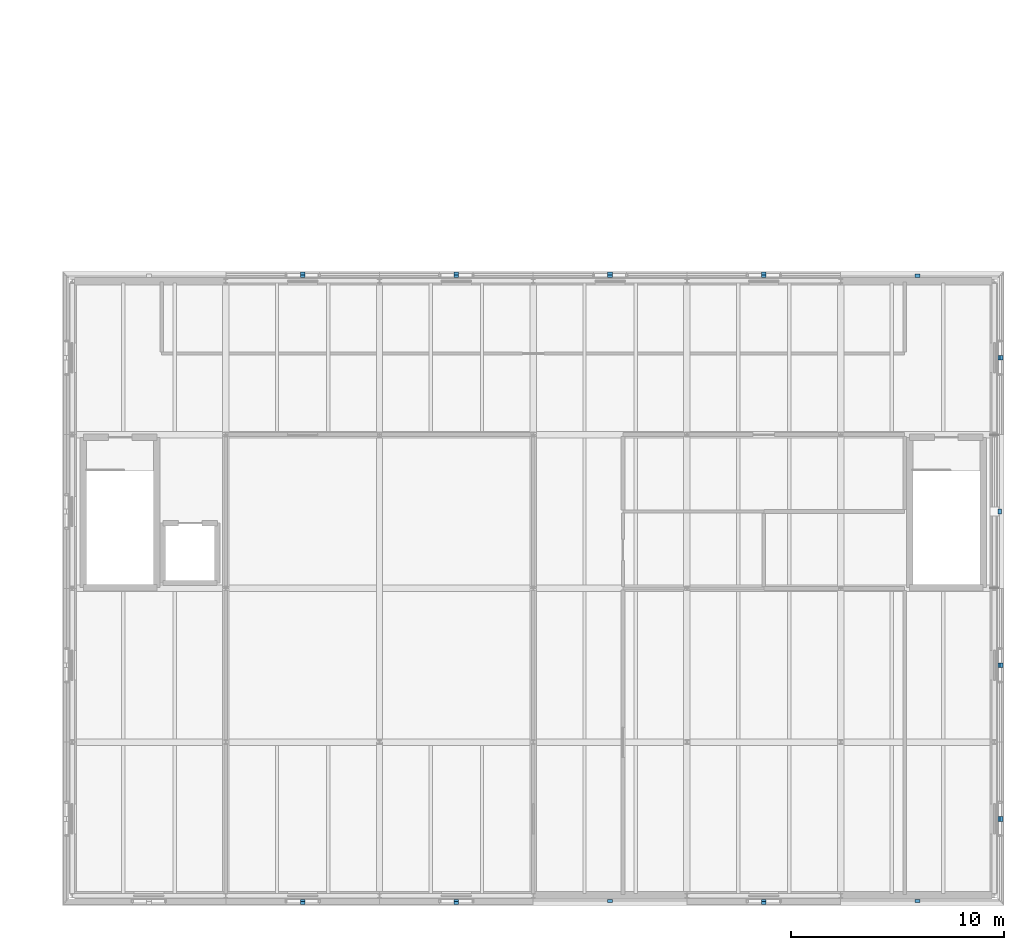
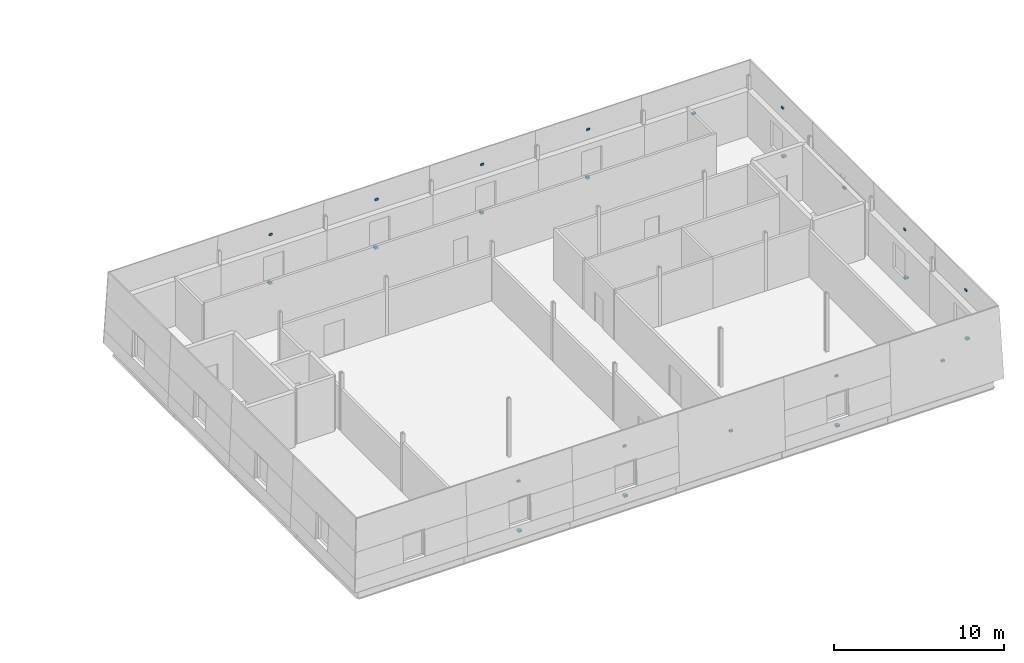
# One storey, part 74 of 91: 24 discrete accessories.
"""IFC4 building model written with IfcOpenShell, lengths in metres."""

from ifc_helpers import new_model, si_unit, direction, frame, origin, origin_2d, place, context, subcontext, project, spatial, rectangle, extrude, material, layer, layer_set, type_object, element, save


model = new_model("IFC4")

# Units and contexts
model_context = context("Model", 3, precision=1e-05, world=origin(), true_north=direction((0.0, 1.0)))
body_context = subcontext(model_context, "Body", "Model", "MODEL_VIEW")
ifc_project = project(units=[si_unit("LENGTHUNIT", "METRE"), si_unit("AREAUNIT", "SQUARE_METRE"), si_unit("VOLUMEUNIT", "CUBIC_METRE"), si_unit("PLANEANGLEUNIT", "RADIAN"), si_unit("MASSUNIT", "GRAM", prefix="KILO")], contexts=[model_context])

# Site, building, storey
site_placement = place(None, origin())
site = spatial("IfcSite", under=ifc_project, at=site_placement, CompositionType="ELEMENT")
building_placement = place(site_placement, origin())
building = spatial("IfcBuilding", under=site, at=building_placement, Name="Narikvali Park Central Library", CompositionType="ELEMENT")
storey_placement = place(building_placement, frame((0.0, 0.0, 14.39990234375)))
storey = spatial("IfcBuildingStorey", under=building, at=storey_placement, Name="L03", CompositionType="ELEMENT", Elevation=14.39990234375)

# Discrete accessories
ifc_material = material(Name="Brushed Stainless Steel S355", Category="steel")
ifc_layer = layer(ifc_material, 0.139892578125, Name="Brushed Stainless Steel S355")
ifc_layer_set = layer_set([ifc_layer], Name="Brushed Stainless Steel S355")
discrete_accessory_type = type_object("IfcDiscreteAccessoryType", Name="Cladding Stainless Tie-Back Corbel Bracket", PredefinedType="BRACKET", material=ifc_layer_set)
discrete_accessory_1_placement = place(storey_placement, frame((133.199951171875, -0.290771484375, 0.4052734375), z_axis=(0.0, 0.0, 1.0), x_axis=(1.0, 0.0, 0.0)))
element("IfcDiscreteAccessory", 1, at=discrete_accessory_1_placement, inside=storey, type_object=discrete_accessory_type, Name="Limestone Cladding Tie-Back Bracket V6-CLD-L03-S-B02-SP", PredefinedType="BRACKET", context=body_context, shape_type="SweptSolid", body=[
    extrude(rectangle(XDim=0.219970703125, YDim=0.2412109375, at=origin_2d()), origin(), (0.0, 0.0, 1.0), 0.139892578125),
])
discrete_accessory_2_placement = place(storey_placement, frame((133.199951171875, -0.218994140625, 3.9052734375), z_axis=(0.0, 0.0, 1.0), x_axis=(1.0, 0.0, 0.0)))
element("IfcDiscreteAccessory", 2, at=discrete_accessory_2_placement, inside=storey, type_object=discrete_accessory_type, Name="Limestone Cladding Tie-Back Bracket V6-CLD-L03-S-B02-LN", PredefinedType="BRACKET", context=body_context, shape_type="SweptSolid", body=[
    extrude(rectangle(XDim=0.219970703125, YDim=0.09814453125, at=origin_2d()), origin(), (0.0, 0.0, 1.0), 0.139892578125),
])
discrete_accessory_3_placement = place(storey_placement, frame((140.39990234375, -0.290771484375, 0.4052734375), z_axis=(0.0, 0.0, 1.0), x_axis=(1.0, 0.0, 0.0)))
element("IfcDiscreteAccessory", 3, at=discrete_accessory_3_placement, inside=storey, type_object=discrete_accessory_type, Name="Limestone Cladding Tie-Back Bracket V6-CLD-L03-S-B03-SP", PredefinedType="BRACKET", context=body_context, shape_type="SweptSolid", body=[
    extrude(rectangle(XDim=0.219970703125, YDim=0.2412109375, at=origin_2d()), origin(), (0.0, 0.0, 1.0), 0.139892578125),
])
discrete_accessory_4_placement = place(storey_placement, frame((140.39990234375, -0.218994140625, 3.9052734375), z_axis=(0.0, 0.0, 1.0), x_axis=(1.0, 0.0, 0.0)))
element("IfcDiscreteAccessory", 4, at=discrete_accessory_4_placement, inside=storey, type_object=discrete_accessory_type, Name="Limestone Cladding Tie-Back Bracket V6-CLD-L03-S-B03-LN", PredefinedType="BRACKET", context=body_context, shape_type="SweptSolid", body=[
    extrude(rectangle(XDim=0.219970703125, YDim=0.09814453125, at=origin_2d()), origin(), (0.0, 0.0, 1.0), 0.139892578125),
])
discrete_accessory_5_placement = place(storey_placement, frame((147.60009765625, -0.247802734375, 2.50537109375), z_axis=(0.0, 0.0, 1.0), x_axis=(1.0, 0.0, 0.0)))
element("IfcDiscreteAccessory", 5, at=discrete_accessory_5_placement, inside=storey, type_object=discrete_accessory_type, Name="Limestone Cladding Tie-Back Bracket V6-CLD-L03-S-B04-FULL", PredefinedType="BRACKET", context=body_context, shape_type="SweptSolid", body=[
    extrude(rectangle(XDim=0.219970703125, YDim=0.1552734375, at=origin_2d()), origin(), (0.0, 0.0, 1.0), 0.139892578125),
])
discrete_accessory_6_placement = place(storey_placement, frame((154.800048828125, -0.290771484375, 0.4052734375), z_axis=(0.0, 0.0, 1.0), x_axis=(1.0, 0.0, 0.0)))
element("IfcDiscreteAccessory", 6, at=discrete_accessory_6_placement, inside=storey, type_object=discrete_accessory_type, Name="Limestone Cladding Tie-Back Bracket V6-CLD-L03-S-B05-SP", PredefinedType="BRACKET", context=body_context, shape_type="SweptSolid", body=[
    extrude(rectangle(XDim=0.219970703125, YDim=0.2412109375, at=origin_2d()), origin(), (0.0, 0.0, 1.0), 0.139892578125),
])
discrete_accessory_7_placement = place(storey_placement, frame((154.800048828125, -0.218994140625, 3.9052734375), z_axis=(0.0, 0.0, 1.0), x_axis=(1.0, 0.0, 0.0)))
element("IfcDiscreteAccessory", 7, at=discrete_accessory_7_placement, inside=storey, type_object=discrete_accessory_type, Name="Limestone Cladding Tie-Back Bracket V6-CLD-L03-S-B05-LN", PredefinedType="BRACKET", context=body_context, shape_type="SweptSolid", body=[
    extrude(rectangle(XDim=0.219970703125, YDim=0.09814453125, at=origin_2d()), origin(), (0.0, 0.0, 1.0), 0.139892578125),
])
discrete_accessory_8_placement = place(storey_placement, frame((162.0, -0.247802734375, 2.50537109375), z_axis=(0.0, 0.0, 1.0), x_axis=(1.0, 0.0, 0.0)))
element("IfcDiscreteAccessory", 8, at=discrete_accessory_8_placement, inside=storey, type_object=discrete_accessory_type, Name="Limestone Cladding Tie-Back Bracket V6-CLD-L03-S-B06-FULL", PredefinedType="BRACKET", context=body_context, shape_type="SweptSolid", body=[
    extrude(rectangle(XDim=0.219970703125, YDim=0.1552734375, at=origin_2d()), origin(), (0.0, 0.0, 1.0), 0.139892578125),
])
discrete_accessory_9_placement = place(storey_placement, frame((165.890625, 3.60009765625, 0.4052734375), z_axis=(0.0, 0.0, 1.0), x_axis=(1.0, 0.0, 0.0)))
element("IfcDiscreteAccessory", 9, at=discrete_accessory_9_placement, inside=storey, type_object=discrete_accessory_type, Name="Limestone Cladding Tie-Back Bracket V6-CLD-L03-E-B01-SP", PredefinedType="BRACKET", context=body_context, shape_type="SweptSolid", body=[
    extrude(rectangle(XDim=0.2412109375, YDim=0.219970703125, at=origin_2d()), origin(), (0.0, 0.0, 1.0), 0.139892578125),
])
discrete_accessory_10_placement = place(storey_placement, frame((165.819091796875, 3.60009765625, 3.9052734375), z_axis=(0.0, 0.0, 1.0), x_axis=(1.0, 0.0, 0.0)))
element("IfcDiscreteAccessory", 10, at=discrete_accessory_10_placement, inside=storey, type_object=discrete_accessory_type, Name="Limestone Cladding Tie-Back Bracket V6-CLD-L03-E-B01-LN", PredefinedType="BRACKET", context=body_context, shape_type="SweptSolid", body=[
    extrude(rectangle(XDim=0.09814453125, YDim=0.219970703125, at=origin_2d()), origin(), (0.0, 0.0, 1.0), 0.139892578125),
])
discrete_accessory_11_placement = place(storey_placement, frame((165.890625, 10.800048828125, 0.4052734375), z_axis=(0.0, 0.0, 1.0), x_axis=(1.0, 0.0, 0.0)))
element("IfcDiscreteAccessory", 11, at=discrete_accessory_11_placement, inside=storey, type_object=discrete_accessory_type, Name="Limestone Cladding Tie-Back Bracket V6-CLD-L03-E-B02-SP", PredefinedType="BRACKET", context=body_context, shape_type="SweptSolid", body=[
    extrude(rectangle(XDim=0.2412109375, YDim=0.219970703125, at=origin_2d()), origin(), (0.0, 0.0, 1.0), 0.139892578125),
])
discrete_accessory_12_placement = place(storey_placement, frame((165.819091796875, 10.800048828125, 3.9052734375), z_axis=(0.0, 0.0, 1.0), x_axis=(1.0, 0.0, 0.0)))
element("IfcDiscreteAccessory", 12, at=discrete_accessory_12_placement, inside=storey, type_object=discrete_accessory_type, Name="Limestone Cladding Tie-Back Bracket V6-CLD-L03-E-B02-LN", PredefinedType="BRACKET", context=body_context, shape_type="SweptSolid", body=[
    extrude(rectangle(XDim=0.09814453125, YDim=0.219970703125, at=origin_2d()), origin(), (0.0, 0.0, 1.0), 0.139892578125),
])
discrete_accessory_13_placement = place(storey_placement, frame((165.84765625, 18.0, 2.50537109375), z_axis=(0.0, 0.0, 1.0), x_axis=(1.0, 0.0, 0.0)))
element("IfcDiscreteAccessory", 13, at=discrete_accessory_13_placement, inside=storey, type_object=discrete_accessory_type, Name="Limestone Cladding Tie-Back Bracket V6-CLD-L03-E-B03-FULL", PredefinedType="BRACKET", context=body_context, shape_type="SweptSolid", body=[
    extrude(rectangle(XDim=0.1552734375, YDim=0.219970703125, at=origin_2d()), origin(), (0.0, 0.0, 1.0), 0.139892578125),
])
discrete_accessory_14_placement = place(storey_placement, frame((165.890625, 25.199951171875, 0.4052734375), z_axis=(0.0, 0.0, 1.0), x_axis=(1.0, 0.0, 0.0)))
element("IfcDiscreteAccessory", 14, at=discrete_accessory_14_placement, inside=storey, type_object=discrete_accessory_type, Name="Limestone Cladding Tie-Back Bracket V6-CLD-L03-E-B04-SP", PredefinedType="BRACKET", context=body_context, shape_type="SweptSolid", body=[
    extrude(rectangle(XDim=0.2412109375, YDim=0.219970703125, at=origin_2d()), origin(), (0.0, 0.0, 1.0), 0.139892578125),
])
discrete_accessory_15_placement = place(storey_placement, frame((165.819091796875, 25.199951171875, 3.9052734375), z_axis=(0.0, 0.0, 1.0), x_axis=(1.0, 0.0, 0.0)))
element("IfcDiscreteAccessory", 15, at=discrete_accessory_15_placement, inside=storey, type_object=discrete_accessory_type, Name="Limestone Cladding Tie-Back Bracket V6-CLD-L03-E-B04-LN", PredefinedType="BRACKET", context=body_context, shape_type="SweptSolid", body=[
    extrude(rectangle(XDim=0.09814453125, YDim=0.219970703125, at=origin_2d()), origin(), (0.0, 0.0, 1.0), 0.139892578125),
])
discrete_accessory_16_placement = place(storey_placement, frame((162.0, 29.047607421875, 2.50537109375), z_axis=(0.0, 0.0, 1.0), x_axis=(1.0, 0.0, 0.0)))
element("IfcDiscreteAccessory", 16, at=discrete_accessory_16_placement, inside=storey, type_object=discrete_accessory_type, Name="Limestone Cladding Tie-Back Bracket V6-CLD-L03-N-B01-FULL", PredefinedType="BRACKET", context=body_context, shape_type="SweptSolid", body=[
    extrude(rectangle(XDim=0.219970703125, YDim=0.1552734375, at=origin_2d()), origin(), (0.0, 0.0, 1.0), 0.139892578125),
])
discrete_accessory_17_placement = place(storey_placement, frame((154.800048828125, 29.0908203125, 0.4052734375), z_axis=(0.0, 0.0, 1.0), x_axis=(1.0, 0.0, 0.0)))
element("IfcDiscreteAccessory", 17, at=discrete_accessory_17_placement, inside=storey, type_object=discrete_accessory_type, Name="Limestone Cladding Tie-Back Bracket V6-CLD-L03-N-B02-SP", PredefinedType="BRACKET", context=body_context, shape_type="SweptSolid", body=[
    extrude(rectangle(XDim=0.219970703125, YDim=0.2412109375, at=origin_2d()), origin(), (0.0, 0.0, 1.0), 0.139892578125),
])
discrete_accessory_18_placement = place(storey_placement, frame((154.800048828125, 29.01904296875, 3.9052734375), z_axis=(0.0, 0.0, 1.0), x_axis=(1.0, 0.0, 0.0)))
element("IfcDiscreteAccessory", 18, at=discrete_accessory_18_placement, inside=storey, type_object=discrete_accessory_type, Name="Limestone Cladding Tie-Back Bracket V6-CLD-L03-N-B02-LN", PredefinedType="BRACKET", context=body_context, shape_type="SweptSolid", body=[
    extrude(rectangle(XDim=0.219970703125, YDim=0.09814453125, at=origin_2d()), origin(), (0.0, 0.0, 1.0), 0.139892578125),
])
discrete_accessory_19_placement = place(storey_placement, frame((147.60009765625, 29.0908203125, 0.4052734375), z_axis=(0.0, 0.0, 1.0), x_axis=(1.0, 0.0, 0.0)))
element("IfcDiscreteAccessory", 19, at=discrete_accessory_19_placement, inside=storey, type_object=discrete_accessory_type, Name="Limestone Cladding Tie-Back Bracket V6-CLD-L03-N-B03-SP", PredefinedType="BRACKET", context=body_context, shape_type="SweptSolid", body=[
    extrude(rectangle(XDim=0.219970703125, YDim=0.2412109375, at=origin_2d()), origin(), (0.0, 0.0, 1.0), 0.139892578125),
])
discrete_accessory_20_placement = place(storey_placement, frame((147.60009765625, 29.01904296875, 3.9052734375), z_axis=(0.0, 0.0, 1.0), x_axis=(1.0, 0.0, 0.0)))
element("IfcDiscreteAccessory", 20, at=discrete_accessory_20_placement, inside=storey, type_object=discrete_accessory_type, Name="Limestone Cladding Tie-Back Bracket V6-CLD-L03-N-B03-LN", PredefinedType="BRACKET", context=body_context, shape_type="SweptSolid", body=[
    extrude(rectangle(XDim=0.219970703125, YDim=0.09814453125, at=origin_2d()), origin(), (0.0, 0.0, 1.0), 0.139892578125),
])
discrete_accessory_21_placement = place(storey_placement, frame((140.39990234375, 29.0908203125, 0.4052734375), z_axis=(0.0, 0.0, 1.0), x_axis=(1.0, 0.0, 0.0)))
element("IfcDiscreteAccessory", 21, at=discrete_accessory_21_placement, inside=storey, type_object=discrete_accessory_type, Name="Limestone Cladding Tie-Back Bracket V6-CLD-L03-N-B04-SP", PredefinedType="BRACKET", context=body_context, shape_type="SweptSolid", body=[
    extrude(rectangle(XDim=0.219970703125, YDim=0.2412109375, at=origin_2d()), origin(), (0.0, 0.0, 1.0), 0.139892578125),
])
discrete_accessory_22_placement = place(storey_placement, frame((140.39990234375, 29.01904296875, 3.9052734375), z_axis=(0.0, 0.0, 1.0), x_axis=(1.0, 0.0, 0.0)))
element("IfcDiscreteAccessory", 22, at=discrete_accessory_22_placement, inside=storey, type_object=discrete_accessory_type, Name="Limestone Cladding Tie-Back Bracket V6-CLD-L03-N-B04-LN", PredefinedType="BRACKET", context=body_context, shape_type="SweptSolid", body=[
    extrude(rectangle(XDim=0.219970703125, YDim=0.09814453125, at=origin_2d()), origin(), (0.0, 0.0, 1.0), 0.139892578125),
])
discrete_accessory_23_placement = place(storey_placement, frame((133.199951171875, 29.0908203125, 0.4052734375), z_axis=(0.0, 0.0, 1.0), x_axis=(1.0, 0.0, 0.0)))
element("IfcDiscreteAccessory", 23, at=discrete_accessory_23_placement, inside=storey, type_object=discrete_accessory_type, Name="Limestone Cladding Tie-Back Bracket V6-CLD-L03-N-B05-SP", PredefinedType="BRACKET", context=body_context, shape_type="SweptSolid", body=[
    extrude(rectangle(XDim=0.219970703125, YDim=0.2412109375, at=origin_2d()), origin(), (0.0, 0.0, 1.0), 0.139892578125),
])
discrete_accessory_24_placement = place(storey_placement, frame((133.199951171875, 29.01904296875, 3.9052734375), z_axis=(0.0, 0.0, 1.0), x_axis=(1.0, 0.0, 0.0)))
element("IfcDiscreteAccessory", 24, at=discrete_accessory_24_placement, inside=storey, type_object=discrete_accessory_type, Name="Limestone Cladding Tie-Back Bracket V6-CLD-L03-N-B05-LN", PredefinedType="BRACKET", context=body_context, shape_type="SweptSolid", body=[
    extrude(rectangle(XDim=0.219970703125, YDim=0.09814453125, at=origin_2d()), origin(), (0.0, 0.0, 1.0), 0.139892578125),
])

save(model, "model.ifc")
